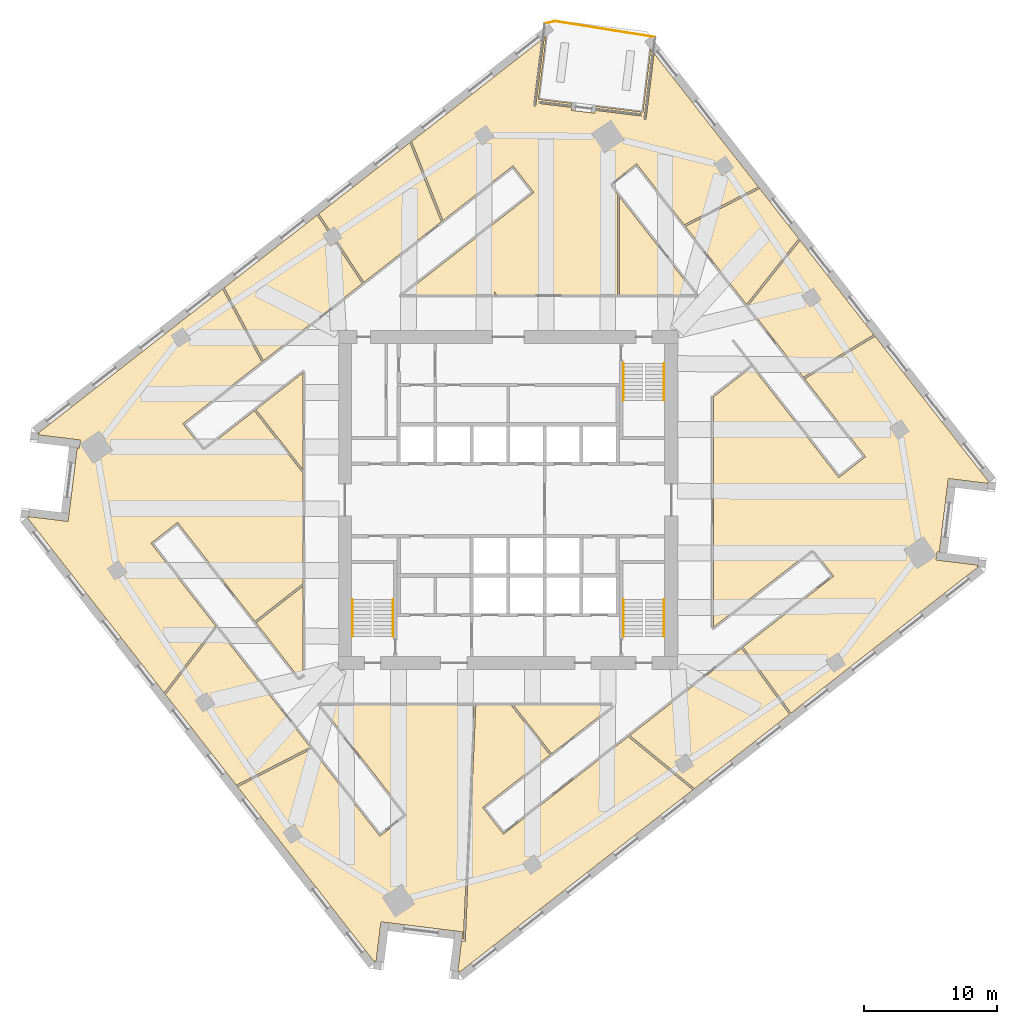
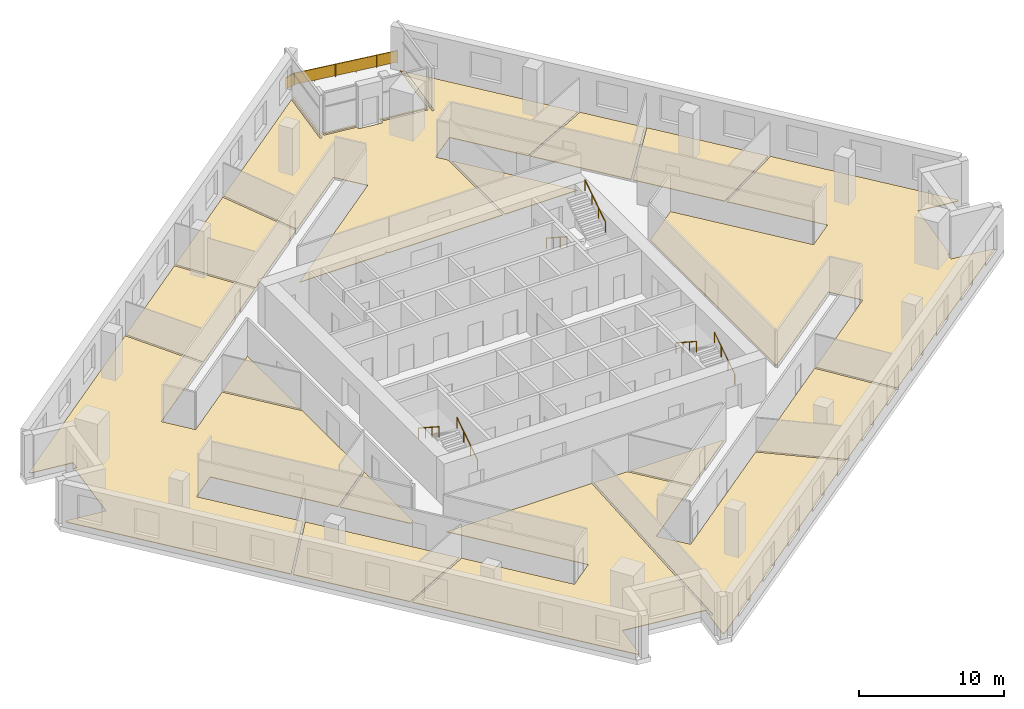
# One storey, part 10 of 11: 15 coverings, 7 railings.
"""IFC4 building model written with IfcOpenShell, lengths in metres."""

from ifc_helpers import new_model, si_unit, direction, frame, origin, origin_2d, place, context, subcontext, project, spatial, polyline, rectangle, circle, outline, extrude, material, layer, layer_set, type_object, element, save


model = new_model("IFC4")

# Units and contexts
model_context = context("Model", 3, precision=1e-05, world=origin(), true_north=direction((0.0, 1.0)))
body_context = subcontext(model_context, "Body", "Model", "MODEL_VIEW")
ifc_project = project(units=[si_unit("LENGTHUNIT", "METRE"), si_unit("AREAUNIT", "SQUARE_METRE"), si_unit("VOLUMEUNIT", "CUBIC_METRE"), si_unit("PLANEANGLEUNIT", "RADIAN"), si_unit("MASSUNIT", "GRAM", prefix="KILO")], contexts=[model_context])

# Site, building, storey
site_placement = place(None, origin())
site = spatial("IfcSite", under=ifc_project, at=site_placement, CompositionType="ELEMENT")
building_placement = place(site_placement, origin())
building = spatial("IfcBuilding", under=site, at=building_placement, Name="Dilmun Exchange Tower", CompositionType="ELEMENT")
storey_placement = place(building_placement, frame((0.0, 0.0, 175.699951171875)))
storey = spatial("IfcBuildingStorey", under=building, at=storey_placement, Name="L41", CompositionType="ELEMENT", Elevation=175.699951171875)

# Coverings
ifc_material_1 = material(Name="Carpet floor finish 50")
ifc_layer_1 = layer(ifc_material_1, 0.050048828125)
ifc_layer_set_1 = layer_set([ifc_layer_1], Name="Carpet floor finish 50")
covering_type_1 = type_object("IfcCoveringType", Name="Carpet floor finish 50", PredefinedType="FLOORING", material=ifc_layer_set_1)
covering_1_placement = place(storey_placement, origin())
element("IfcCovering", 1, at=covering_1_placement, inside=storey, type_object=covering_type_1, Name="Carpet floor finish 50 Open office 1", PredefinedType="FLOORING", context=body_context, shape_type="SweptSolid", body=[
    extrude(outline(polyline([(-18.573486328125, 10.406982421875), (-24.53857421875, 5.74658203125), (-22.96875, 3.7373046875), (-19.142578125, 6.726318359375), (-15.47509765625, 2.031982421875), (-15.47509765625, -6.310791015625), (-19.1044921875, -9.146484375), (-24.930908203125, -1.689453125), (-26.940185546875, -3.25927734375), (-22.068359375, -9.4951171875), (-25.942626953125, -14.54541015625), (-36.251220703125, -1.35107421875), (-36.1806640625, -1.359619140625), (-36.180419921875, -1.359619140625), (-36.180419921875, -1.359619140625), (-36.18017578125, -1.359619140625), (-36.179931640625, -1.359619140625), (-36.1796875, -1.359619140625), (-36.179443359375, -1.359375), (-36.179443359375, -1.359375), (-36.17919921875, -1.359130859375), (-36.17919921875, -1.359130859375), (-36.178955078125, -1.35888671875), (-36.1787109375, -1.35888671875), (-36.1787109375, -1.358642578125), (-36.1787109375, -1.3583984375), (-36.178466796875, -1.3583984375), (-36.178466796875, -1.358154296875), (-36.178466796875, -1.35791015625), (-36.1650390625, -1.24951171875), (-33.189453125, -1.61474609375), (-33.189208984375, -1.614990234375), (-33.189208984375, -1.614990234375), (-33.18896484375, -1.61474609375), (-33.188720703125, -1.61474609375), (-33.1884765625, -1.61474609375), (-33.1884765625, -1.614501953125), (-33.188232421875, -1.614501953125), (-33.18798828125, -1.614501953125), (-33.18798828125, -1.6142578125), (-33.187744140625, -1.6142578125), (-33.1875, -1.614013671875), (-33.1875, -1.61376953125), (-33.1875, -1.61376953125), (-33.1875, -1.613525390625), (-33.187255859375, -1.61328125), (-33.187255859375, -1.613037109375), (-33.1142578125, -1.017578125), (-32.5048828125, 3.943115234375), (-32.339599609375, 3.9228515625), (-32.339599609375, 3.9228515625), (-32.33935546875, 3.9228515625), (-32.339111328125, 3.9228515625), (-32.3388671875, 3.9228515625), (-32.338623046875, 3.923095703125), (-32.338623046875, 3.923095703125), (-32.33837890625, 3.923095703125), (-32.338134765625, 3.92333984375), (-32.338134765625, 3.92333984375), (-32.337890625, 3.923583984375), (-32.337890625, 3.923583984375), (-32.337646484375, 3.923828125), (-32.337646484375, 3.924072265625), (-32.337646484375, 3.92431640625), (-32.33740234375, 3.92431640625), (-32.33740234375, 3.924560546875), (-32.264404296875, 4.52001953125), (-32.264404296875, 4.520263671875), (-32.264404296875, 4.5205078125), (-32.264404296875, 4.520751953125), (-32.264404296875, 4.52099609375), (-32.264404296875, 4.52099609375), (-32.264404296875, 4.521240234375), (-32.2646484375, 4.521484375), (-32.264892578125, 4.521484375), (-32.264892578125, 4.521728515625), (-32.264892578125, 4.52197265625), (-32.26513671875, 4.52197265625), (-32.265380859375, 4.522216796875), (-32.265380859375, 4.522216796875), (-32.265625, 4.522216796875), (-32.265869140625, 4.522216796875), (-32.26611328125, 4.522216796875), (-35.4091796875, 4.908203125), (-35.395751953125, 5.0166015625), (-35.395751953125, 5.016845703125), (-35.395751953125, 5.01708984375), (-35.395751953125, 5.017333984375), (-35.395751953125, 5.017578125), (-35.39599609375, 5.017578125), (-35.39599609375, 5.017822265625), (-35.39599609375, 5.01806640625), (-35.396240234375, 5.018310546875), (-35.396240234375, 5.018310546875), (-35.396484375, 5.0185546875), (-35.396484375, 5.0185546875), (-35.396728515625, 5.018798828125), (-35.39697265625, 5.018798828125), (-35.397216796875, 5.018798828125), (-35.397216796875, 5.018798828125), (-35.3974609375, 5.018798828125), (-35.4677734375, 5.027587890625), (-21.5380859375, 15.91064453125), (-18.573486328125, 10.406982421875)])), origin(), (0.0, 0.0, 1.0), 0.050048828125),
])
covering_2_placement = place(storey_placement, origin())
element("IfcCovering", 2, at=covering_2_placement, inside=storey, type_object=covering_type_1, Name="Carpet floor finish 50 Break-out lounge 1", PredefinedType="FLOORING", context=body_context, shape_type="SweptSolid", body=[
    extrude(outline(polyline([(-14.919677734375, -18.645263671875), (-20.5078125, -21.50146484375), (-25.84716796875, -14.667236328125), (-21.972900390625, -9.6171875), (-14.919677734375, -18.645263671875)])), origin(), (0.0, 0.0, 1.0), 0.050048828125),
])
covering_3_placement = place(storey_placement, origin())
element("IfcCovering", 3, at=covering_3_placement, inside=storey, type_object=covering_type_1, Name="Carpet floor finish 50 Analyst office 1", PredefinedType="FLOORING", context=body_context, shape_type="SweptSolid", body=[
    extrude(outline(polyline([(-14.825439453125, -18.765380859375), (-9.679931640625, -25.3515625), (-7.67041015625, -23.781494140625), (-14.159423828125, -15.47607421875), (-2.59375, -15.47509765625), (-3.383544921875, -33.104736328125), (-3.502197265625, -33.090087890625), (-3.4384765625, -32.569091796875), (-3.438232421875, -32.56884765625), (-3.438232421875, -32.568603515625), (-3.4384765625, -32.568359375), (-3.4384765625, -32.568115234375), (-3.4384765625, -32.568115234375), (-3.438720703125, -32.56787109375), (-3.438720703125, -32.567626953125), (-3.438720703125, -32.5673828125), (-3.43896484375, -32.5673828125), (-3.43896484375, -32.567138671875), (-3.439208984375, -32.567138671875), (-3.439453125, -32.56689453125), (-3.439453125, -32.56689453125), (-3.439697265625, -32.56689453125), (-3.43994140625, -32.56689453125), (-3.440185546875, -32.56689453125), (-4.03564453125, -32.49365234375), (-4.03564453125, -32.49365234375), (-8.997802734375, -31.884521484375), (-8.998046875, -31.884521484375), (-8.998291015625, -31.88427734375), (-8.998291015625, -31.88427734375), (-9.593994140625, -31.811279296875), (-9.593994140625, -31.81103515625), (-9.59423828125, -31.81103515625), (-9.594482421875, -31.811279296875), (-9.5947265625, -31.811279296875), (-9.594970703125, -31.811279296875), (-9.59521484375, -31.811279296875), (-9.59521484375, -31.8115234375), (-9.595458984375, -31.8115234375), (-9.595458984375, -31.811767578125), (-9.595703125, -31.811767578125), (-9.595703125, -31.81201171875), (-9.595947265625, -31.812255859375), (-9.595947265625, -31.812255859375), (-9.59619140625, -31.8125), (-9.59619140625, -31.812744140625), (-9.59619140625, -31.81298828125), (-9.96142578125, -34.78857421875), (-10.070068359375, -34.775390625), (-10.0703125, -34.775146484375), (-10.0703125, -34.775146484375), (-10.070556640625, -34.775390625), (-10.07080078125, -34.775390625), (-10.071044921875, -34.775390625), (-10.071044921875, -34.775390625), (-10.0712890625, -34.775390625), (-10.071533203125, -34.775634765625), (-10.071533203125, -34.77587890625), (-10.07177734375, -34.77587890625), (-10.072021484375, -34.776123046875), (-10.072021484375, -34.7763671875), (-10.072021484375, -34.7763671875), (-10.072021484375, -34.776611328125), (-10.072265625, -34.77685546875), (-10.072265625, -34.777099609375), (-10.080810546875, -34.847412109375), (-20.413818359375, -21.621826171875), (-14.825439453125, -18.765380859375)])), origin(), (0.0, 0.0, 1.0), 0.050048828125),
])
covering_4_placement = place(storey_placement, origin())
element("IfcCovering", 4, at=covering_4_placement, inside=storey, type_object=covering_type_1, Name="Carpet floor finish 50 Break-out lounge 2", PredefinedType="FLOORING", context=body_context, shape_type="SweptSolid", body=[
    extrude(outline(polyline([(-14.28466796875, 21.57763671875), (-7.412353515625, 26.947021484375), (-5.040283203125, 20.98046875), (-10.8798828125, 16.41796875), (-14.28466796875, 21.57763671875)])), origin(), (0.0, 0.0, 1.0), 0.050048828125),
])
covering_5_placement = place(storey_placement, origin())
element("IfcCovering", 5, at=covering_5_placement, inside=storey, type_object=covering_type_1, Name="Carpet floor finish 50 Analyst office 2", PredefinedType="FLOORING", context=body_context, shape_type="SweptSolid", body=[
    extrude(outline(polyline([(-3.24072265625, -33.273193359375), (-2.443603515625, -15.47509765625), (0.217041015625, -15.47509765625), (3.146240234375, -19.22412109375), (-1.930419921875, -23.190673828125), (-0.360595703125, -25.19970703125), (9.048583984375, -17.848876953125), (13.927490234375, -21.856689453125), (-3.7021484375, -35.630615234375), (-3.693603515625, -35.560302734375), (-3.693603515625, -35.56005859375), (-3.693603515625, -35.559814453125), (-3.693603515625, -35.5595703125), (-3.693603515625, -35.559326171875), (-3.693603515625, -35.55908203125), (-3.69384765625, -35.55908203125), (-3.69384765625, -35.558837890625), (-3.694091796875, -35.55859375), (-3.694091796875, -35.55859375), (-3.694091796875, -35.558349609375), (-3.6943359375, -35.558349609375), (-3.694580078125, -35.55810546875), (-3.694580078125, -35.55810546875), (-3.69482421875, -35.55810546875), (-3.695068359375, -35.55810546875), (-3.6953125, -35.55810546875), (-3.8037109375, -35.544677734375), (-3.5205078125, -33.239013671875), (-3.24072265625, -33.273193359375)])), origin(), (0.0, 0.0, 1.0), 0.050048828125),
])
covering_6_placement = place(storey_placement, origin())
element("IfcCovering", 6, at=covering_6_placement, inside=storey, type_object=covering_type_1, Name="Carpet floor finish 50 Meeting room 1", PredefinedType="FLOORING", context=body_context, shape_type="SweptSolid", body=[
    extrude(outline(polyline([(7.840576171875, -15.556640625), (3.264404296875, -19.1318359375), (0.407470703125, -15.47509765625), (7.77685546875, -15.47509765625), (7.840576171875, -15.556640625)])), origin(), (0.0, 0.0, 1.0), 0.050048828125),
])
covering_7_placement = place(storey_placement, origin())
element("IfcCovering", 7, at=covering_7_placement, inside=storey, type_object=covering_type_1, Name="Carpet floor finish 50 Garden lounge", PredefinedType="FLOORING", context=body_context, shape_type="SweptSolid", body=[
    extrude(outline(polyline([(1.930419921875, 23.1904296875), (0.360595703125, 25.199951171875), (-4.9169921875, 21.07666015625), (-7.289306640625, 27.043212890625), (2.523193359375, 34.709716796875), (1.912353515625, 29.73388671875), (1.912353515625, 29.733642578125), (1.912353515625, 29.7333984375), (1.912353515625, 29.7333984375), (1.91259765625, 29.733154296875), (1.91259765625, 29.73291015625), (1.91259765625, 29.732666015625), (1.91259765625, 29.732666015625), (1.912841796875, 29.732421875), (1.912841796875, 29.732421875), (1.9130859375, 29.732177734375), (1.9130859375, 29.73193359375), (1.913330078125, 29.73193359375), (1.91357421875, 29.731689453125), (1.913818359375, 29.731689453125), (1.9140625, 29.731689453125), (1.914306640625, 29.731689453125), (2.072998046875, 29.712158203125), (2.0732421875, 29.712158203125), (2.073486328125, 29.712158203125), (2.073486328125, 29.712158203125), (2.07373046875, 29.712158203125), (2.073974609375, 29.71240234375), (2.07421875, 29.71240234375), (2.07421875, 29.71240234375), (2.074462890625, 29.712646484375), (2.07470703125, 29.712646484375), (2.07470703125, 29.712890625), (2.07470703125, 29.712890625), (2.074951171875, 29.713134765625), (2.074951171875, 29.71337890625), (2.0751953125, 29.71337890625), (2.0751953125, 29.713623046875), (2.0751953125, 29.7138671875), (2.7060546875, 34.852294921875), (2.865478515625, 34.976806640625), (2.281005859375, 30.217529296875), (4.823974609375, 29.9052734375), (4.806640625, 29.76318359375), (2.338134765625, 30.06640625), (2.337890625, 30.06640625), (2.337646484375, 30.06640625), (2.33740234375, 30.06640625), (2.33740234375, 30.06640625), (2.337158203125, 30.06640625), (2.3369140625, 30.06640625), (2.3369140625, 30.066162109375), (2.336669921875, 30.066162109375), (2.33642578125, 30.06591796875), (2.336181640625, 30.06591796875), (2.336181640625, 30.065673828125), (2.336181640625, 30.0654296875), (2.3359375, 30.065185546875), (2.3359375, 30.065185546875), (2.3359375, 30.06494140625), (2.3359375, 30.064697265625), (2.31640625, 29.906005859375), (2.31640625, 29.90576171875), (2.31640625, 29.905517578125), (2.31640625, 29.905517578125), (2.31640625, 29.9052734375), (2.31640625, 29.905029296875), (2.316650390625, 29.90478515625), (2.316650390625, 29.904541015625), (2.31689453125, 29.904541015625), (2.31689453125, 29.904296875), (2.31689453125, 29.904296875), (2.317138671875, 29.904052734375), (2.3173828125, 29.904052734375), (2.3173828125, 29.90380859375), (2.317626953125, 29.90380859375), (2.31787109375, 29.90380859375), (2.318115234375, 29.90380859375), (4.78662109375, 29.6005859375), (4.760009765625, 29.38427734375), (4.760009765625, 29.384033203125), (4.760009765625, 29.3837890625), (4.760009765625, 29.383544921875), (4.760009765625, 29.38330078125), (4.76025390625, 29.38330078125), (4.76025390625, 29.383056640625), (4.760498046875, 29.3828125), (4.760498046875, 29.3828125), (4.760498046875, 29.382568359375), (4.7607421875, 29.38232421875), (4.760986328125, 29.38232421875), (4.760986328125, 29.382080078125), (4.76123046875, 29.382080078125), (4.761474609375, 29.382080078125), (4.76171875, 29.382080078125), (4.76171875, 29.3818359375), (6.54833984375, 29.16259765625), (6.548583984375, 29.16259765625), (6.548828125, 29.16259765625), (6.549072265625, 29.16259765625), (6.54931640625, 29.16259765625), (6.54931640625, 29.162841796875), (6.549560546875, 29.162841796875), (6.5498046875, 29.162841796875), (6.5498046875, 29.1630859375), (6.550048828125, 29.1630859375), (6.55029296875, 29.163330078125), (6.55029296875, 29.16357421875), (6.55029296875, 29.163818359375), (6.550537109375, 29.163818359375), (6.550537109375, 29.1640625), (6.550537109375, 29.164306640625), (6.550537109375, 29.164306640625), (6.5771484375, 29.380859375), (10.038330078125, 28.955810546875), (10.03857421875, 28.955810546875), (10.038818359375, 28.955810546875), (10.038818359375, 28.955810546875), (10.0390625, 28.955810546875), (10.039306640625, 28.955810546875), (10.039306640625, 28.955810546875), (10.03955078125, 28.9560546875), (10.039794921875, 28.9560546875), (10.039794921875, 28.956298828125), (10.0400390625, 28.956298828125), (10.040283203125, 28.95654296875), (10.040283203125, 28.956787109375), (10.040283203125, 28.956787109375), (10.040283203125, 28.95703125), (10.04052734375, 28.957275390625), (10.04052734375, 28.95751953125), (10.06005859375, 29.1162109375), (10.06005859375, 29.116455078125), (10.06005859375, 29.11669921875), (10.06005859375, 29.11669921875), (10.06005859375, 29.116943359375), (10.059814453125, 29.1171875), (10.059814453125, 29.117431640625), (10.059814453125, 29.11767578125), (10.0595703125, 29.11767578125), (10.0595703125, 29.117919921875), (10.059326171875, 29.117919921875), (10.05908203125, 29.1181640625), (10.05908203125, 29.1181640625), (10.058837890625, 29.118408203125), (10.05859375, 29.118408203125), (10.05859375, 29.118408203125), (10.058349609375, 29.118408203125), (6.59716796875, 29.54345703125), (6.614501953125, 29.685302734375), (10.150146484375, 29.251220703125), (10.734619140625, 34.0107421875), (10.859130859375, 33.851318359375), (10.22802734375, 28.712890625), (10.22802734375, 28.712646484375), (10.22802734375, 28.71240234375), (10.22802734375, 28.712158203125), (10.228271484375, 28.7119140625), (10.228271484375, 28.7119140625), (10.228271484375, 28.711669921875), (10.228515625, 28.71142578125), (10.228515625, 28.711181640625), (10.228515625, 28.711181640625), (10.228759765625, 28.7109375), (10.22900390625, 28.7109375), (10.22900390625, 28.710693359375), (10.229248046875, 28.710693359375), (10.2294921875, 28.710693359375), (10.229736328125, 28.710693359375), (10.22998046875, 28.710693359375), (10.388671875, 28.691162109375), (10.388916015625, 28.691162109375), (10.38916015625, 28.691162109375), (10.38916015625, 28.691162109375), (10.389404296875, 28.691162109375), (10.3896484375, 28.691162109375), (10.389892578125, 28.69140625), (10.389892578125, 28.69140625), (10.39013671875, 28.69140625), (10.390380859375, 28.691650390625), (10.390380859375, 28.691650390625), (10.390380859375, 28.69189453125), (10.390625, 28.692138671875), (10.390625, 28.692138671875), (10.390869140625, 28.6923828125), (10.390869140625, 28.692626953125), (10.390869140625, 28.69287109375), (11.001953125, 33.66845703125), (18.8623046875, 23.607666015625), (13.2734375, 20.751953125), (9.679931640625, 25.3515625), (7.67041015625, 23.781494140625), (8.23291015625, 23.06201171875), (8.23291015625, 15.47509765625), (-0.853759765625, 15.47509765625), (-1.02685546875, 15.696533203125), (-1.02685546875, 15.47509765625), (-7.945068359375, 15.47509765625), (1.930419921875, 23.1904296875)])), origin(), (0.0, 0.0, 1.0), 0.050048828125),
])
covering_8_placement = place(storey_placement, origin())
element("IfcCovering", 8, at=covering_8_placement, inside=storey, type_object=covering_type_1, Name="Carpet floor finish 50 Break-out lounge 3", PredefinedType="FLOORING", context=body_context, shape_type="SweptSolid", body=[
    extrude(outline(polyline([(17.5830078125, -11.18115234375), (21.212158203125, -16.165283203125), (14.048583984375, -21.76220703125), (9.169677734375, -17.754150390625), (17.5830078125, -11.18115234375)])), origin(), (0.0, 0.0, 1.0), 0.050048828125),
])
covering_9_placement = place(storey_placement, origin())
element("IfcCovering", 9, at=covering_9_placement, inside=storey, type_object=covering_type_1, Name="Carpet floor finish 50 Meeting room 2", PredefinedType="FLOORING", context=body_context, shape_type="SweptSolid", body=[
    extrude(outline(polyline([(13.36767578125, 20.631591796875), (18.956298828125, 23.4873046875), (21.9130859375, 19.702880859375), (17.97021484375, 14.740478515625), (13.36767578125, 20.631591796875)])), origin(), (0.0, 0.0, 1.0), 0.050048828125),
])
covering_10_placement = place(storey_placement, origin())
element("IfcCovering", 10, at=covering_10_placement, inside=storey, type_object=covering_type_1, Name="Carpet floor finish 50 Meeting room 3", PredefinedType="FLOORING", context=body_context, shape_type="SweptSolid", body=[
    extrude(outline(polyline([(18.065185546875, 14.618896484375), (22.0078125, 19.581298828125), (27.569580078125, 12.462646484375), (22.25341796875, 9.25830078125), (18.065185546875, 14.618896484375)])), origin(), (0.0, 0.0, 1.0), 0.050048828125),
])
covering_11_placement = place(storey_placement, origin())
element("IfcCovering", 11, at=covering_11_placement, inside=storey, type_object=covering_type_1, Name="Carpet floor finish 50 Open office 2", PredefinedType="FLOORING", context=body_context, shape_type="SweptSolid", body=[
    extrude(outline(polyline([(17.701171875, -11.088623046875), (24.53857421875, -5.74658203125), (22.96875, -3.7373046875), (15.47509765625, -9.591796875), (15.47509765625, 7.77685546875), (18.393310546875, 10.056884765625), (24.930908203125, 1.689453125), (26.940185546875, 3.25927734375), (22.346435546875, 9.13916015625), (27.66259765625, 12.343505859375), (36.251220703125, 1.35107421875), (36.1806640625, 1.359619140625), (36.180419921875, 1.359619140625), (36.180419921875, 1.359619140625), (36.18017578125, 1.359619140625), (36.179931640625, 1.359619140625), (36.1796875, 1.359619140625), (36.179443359375, 1.359375), (36.179443359375, 1.359375), (36.17919921875, 1.359130859375), (36.17919921875, 1.359130859375), (36.178955078125, 1.35888671875), (36.1787109375, 1.35888671875), (36.1787109375, 1.358642578125), (36.1787109375, 1.3583984375), (36.178466796875, 1.3583984375), (36.178466796875, 1.358154296875), (36.178466796875, 1.35791015625), (36.1650390625, 1.24951171875), (33.189453125, 1.61474609375), (33.189208984375, 1.614990234375), (33.189208984375, 1.614990234375), (33.18896484375, 1.61474609375), (33.188720703125, 1.61474609375), (33.1884765625, 1.61474609375), (33.1884765625, 1.614501953125), (33.188232421875, 1.614501953125), (33.18798828125, 1.614501953125), (33.18798828125, 1.6142578125), (33.187744140625, 1.6142578125), (33.1875, 1.614013671875), (33.1875, 1.61376953125), (33.1875, 1.61376953125), (33.1875, 1.613525390625), (33.187255859375, 1.61328125), (33.187255859375, 1.613037109375), (33.1142578125, 1.017578125), (33.1142578125, 1.017578125), (32.5048828125, -3.943115234375), (32.339599609375, -3.9228515625), (32.339599609375, -3.9228515625), (32.33935546875, -3.9228515625), (32.339111328125, -3.9228515625), (32.3388671875, -3.9228515625), (32.338623046875, -3.923095703125), (32.338623046875, -3.923095703125), (32.33837890625, -3.923095703125), (32.338134765625, -3.92333984375), (32.338134765625, -3.92333984375), (32.337890625, -3.923583984375), (32.337890625, -3.923583984375), (32.337646484375, -3.923828125), (32.337646484375, -3.924072265625), (32.337646484375, -3.92431640625), (32.33740234375, -3.92431640625), (32.33740234375, -3.924560546875), (32.264404296875, -4.52001953125), (32.264404296875, -4.520263671875), (32.264404296875, -4.5205078125), (32.264404296875, -4.520751953125), (32.264404296875, -4.52099609375), (32.264404296875, -4.52099609375), (32.264404296875, -4.521240234375), (32.2646484375, -4.521484375), (32.264892578125, -4.521484375), (32.264892578125, -4.521728515625), (32.264892578125, -4.52197265625), (32.26513671875, -4.52197265625), (32.265380859375, -4.522216796875), (32.265380859375, -4.522216796875), (32.265625, -4.522216796875), (32.265869140625, -4.522216796875), (32.26611328125, -4.522216796875), (35.4091796875, -4.908203125), (35.395751953125, -5.0166015625), (35.395751953125, -5.016845703125), (35.395751953125, -5.01708984375), (35.395751953125, -5.017333984375), (35.395751953125, -5.017578125), (35.39599609375, -5.017578125), (35.39599609375, -5.017822265625), (35.39599609375, -5.01806640625), (35.396240234375, -5.018310546875), (35.396240234375, -5.018310546875), (35.396484375, -5.0185546875), (35.396484375, -5.0185546875), (35.396728515625, -5.018798828125), (35.39697265625, -5.018798828125), (35.397216796875, -5.018798828125), (35.397216796875, -5.018798828125), (35.3974609375, -5.018798828125), (35.4677734375, -5.027587890625), (21.33056640625, -16.072998046875), (17.701171875, -11.088623046875)])), origin(), (0.0, 0.0, 1.0), 0.050048828125),
])

# Railings
ifc_material_2 = material(Name="Stainless steel", Category="steel")
railing_type_1 = type_object("IfcRailingType", Name="Stair handrail 900", PredefinedType="HANDRAIL", material=ifc_material_2)
railing_1_placement = place(storey_placement, frame((8.699951171875, 10.300048828125, 0.181884765625)))
element("IfcRailing", 12, at=railing_1_placement, inside=storey, type_object=railing_type_1, Name="L41 ST1 stair handrail 1", PredefinedType="HANDRAIL", context=body_context, shape_type="SweptSolid", body=[
    extrude(circle(Radius=0.02392578125, at=origin_2d()), frame((0.0, 0.0, 0.8759765625), z_axis=(0.0, -0.838705829183, 0.544584733623), x_axis=(1.0, 0.0, 0.0)), (0.0, 0.0, 1.0), 3.338623046875),
    extrude(circle(Radius=0.02099609375, at=origin_2d()), origin(), (0.0, 0.0, 1.0), 0.851806640625),
    extrude(circle(Radius=0.02099609375, at=origin_2d()), frame((0.0, -0.933349609375, 0.60595703125)), (0.0, 0.0, 1.0), 0.851806640625),
    extrude(circle(Radius=0.02099609375, at=origin_2d()), frame((0.0, -1.86669921875, 1.212158203125)), (0.0, 0.0, 1.0), 0.851806640625),
    extrude(circle(Radius=0.02099609375, at=origin_2d()), frame((0.0, -2.800048828125, 1.818115234375)), (0.0, 0.0, 1.0), 0.851806640625),
])
for number, where, name in (
    (13, (11.75, 7.5, 2.181884765625), "L41 ST1 stair handrail 2"),
    (14, (-8.699951171875, -10.300048828125, 0.181884765625), "L41 ST2 stair handrail 1"),
):
    element("IfcRailing", number, at=place(storey_placement, frame(where)), inside=storey, type_object=railing_type_1, Name=name, PredefinedType="HANDRAIL", context=body_context, shape_type="SweptSolid", body=[
        extrude(circle(Radius=0.02392578125, at=origin_2d()), frame((0.0, 0.0, 0.8759765625), z_axis=(0.0, 0.838705829183, 0.544584733623), x_axis=(-1.0, 0.0, 0.0)), (0.0, 0.0, 1.0), 3.338623046875),
        extrude(circle(Radius=0.02099609375, at=origin_2d()), origin(), (0.0, 0.0, 1.0), 0.851806640625),
        extrude(circle(Radius=0.02099609375, at=origin_2d()), frame((0.0, 0.933349609375, 0.60595703125)), (0.0, 0.0, 1.0), 0.851806640625),
        extrude(circle(Radius=0.02099609375, at=origin_2d()), frame((0.0, 1.86669921875, 1.212158203125)), (0.0, 0.0, 1.0), 0.851806640625),
        extrude(circle(Radius=0.02099609375, at=origin_2d()), frame((0.0, 2.800048828125, 1.818115234375)), (0.0, 0.0, 1.0), 0.851806640625),
    ])
railing_2_placement = place(storey_placement, frame((-11.75, -7.5, 2.181884765625)))
element("IfcRailing", 15, at=railing_2_placement, inside=storey, type_object=railing_type_1, Name="L41 ST2 stair handrail 2", PredefinedType="HANDRAIL", context=body_context, shape_type="SweptSolid", body=[
    extrude(circle(Radius=0.02392578125, at=origin_2d()), frame((0.0, 0.0, 0.8759765625), z_axis=(0.0, -0.838705829183, 0.544584733623), x_axis=(1.0, 0.0, 0.0)), (0.0, 0.0, 1.0), 3.338623046875),
    extrude(circle(Radius=0.02099609375, at=origin_2d()), origin(), (0.0, 0.0, 1.0), 0.851806640625),
    extrude(circle(Radius=0.02099609375, at=origin_2d()), frame((0.0, -0.933349609375, 0.60595703125)), (0.0, 0.0, 1.0), 0.851806640625),
    extrude(circle(Radius=0.02099609375, at=origin_2d()), frame((0.0, -1.86669921875, 1.212158203125)), (0.0, 0.0, 1.0), 0.851806640625),
    extrude(circle(Radius=0.02099609375, at=origin_2d()), frame((0.0, -2.800048828125, 1.818115234375)), (0.0, 0.0, 1.0), 0.851806640625),
])
railing_3_placement = place(storey_placement, frame((11.75, -10.300048828125, 0.181884765625)))
element("IfcRailing", 16, at=railing_3_placement, inside=storey, type_object=railing_type_1, Name="L41 ST3 stair handrail 1", PredefinedType="HANDRAIL", context=body_context, shape_type="SweptSolid", body=[
    extrude(circle(Radius=0.02392578125, at=origin_2d()), frame((0.0, 0.0, 0.8759765625), z_axis=(0.0, 0.838705829183, 0.544584733623), x_axis=(-1.0, 0.0, 0.0)), (0.0, 0.0, 1.0), 3.338623046875),
    extrude(circle(Radius=0.02099609375, at=origin_2d()), origin(), (0.0, 0.0, 1.0), 0.851806640625),
    extrude(circle(Radius=0.02099609375, at=origin_2d()), frame((0.0, 0.933349609375, 0.60595703125)), (0.0, 0.0, 1.0), 0.851806640625),
    extrude(circle(Radius=0.02099609375, at=origin_2d()), frame((0.0, 1.86669921875, 1.212158203125)), (0.0, 0.0, 1.0), 0.851806640625),
    extrude(circle(Radius=0.02099609375, at=origin_2d()), frame((0.0, 2.800048828125, 1.818115234375)), (0.0, 0.0, 1.0), 0.851806640625),
])
railing_4_placement = place(storey_placement, frame((8.699951171875, -7.5, 2.181884765625)))
element("IfcRailing", 17, at=railing_4_placement, inside=storey, type_object=railing_type_1, Name="L41 ST3 stair handrail 2", PredefinedType="HANDRAIL", context=body_context, shape_type="SweptSolid", body=[
    extrude(circle(Radius=0.02392578125, at=origin_2d()), frame((0.0, 0.0, 0.8759765625), z_axis=(0.0, -0.838705829183, 0.544584733623), x_axis=(1.0, 0.0, 0.0)), (0.0, 0.0, 1.0), 3.338623046875),
    extrude(circle(Radius=0.02099609375, at=origin_2d()), origin(), (0.0, 0.0, 1.0), 0.851806640625),
    extrude(circle(Radius=0.02099609375, at=origin_2d()), frame((0.0, -0.933349609375, 0.60595703125)), (0.0, 0.0, 1.0), 0.851806640625),
    extrude(circle(Radius=0.02099609375, at=origin_2d()), frame((0.0, -1.86669921875, 1.212158203125)), (0.0, 0.0, 1.0), 0.851806640625),
    extrude(circle(Radius=0.02099609375, at=origin_2d()), frame((0.0, -2.800048828125, 1.818115234375)), (0.0, 0.0, 1.0), 0.851806640625),
])

# Coverings
ifc_material_3 = material(Name="Stone floor finish 50", Category="masonry")
ifc_layer_2 = layer(ifc_material_3, 0.050048828125)
ifc_layer_set_2 = layer_set([ifc_layer_2], Name="Stone floor finish 50")
covering_type_2 = type_object("IfcCoveringType", Name="Stone floor finish 50", PredefinedType="FLOORING", material=ifc_layer_set_2)
covering_12_placement = place(storey_placement, origin())
element("IfcCovering", 18, at=covering_12_placement, inside=storey, type_object=covering_type_2, Name="Stone floor finish 50 Reception 1", PredefinedType="FLOORING", context=body_context, shape_type="SweptSolid", body=[
    extrude(outline(polyline([(-15.47509765625, -13.16796875), (-15.77783203125, -13.404541015625), (-19.01220703125, -9.264892578125), (-15.47509765625, -6.501220703125), (-15.47509765625, -13.16796875)])), origin(), (0.0, 0.0, 1.0), 0.050048828125),
])
covering_13_placement = place(storey_placement, origin())
element("IfcCovering", 19, at=covering_13_placement, inside=storey, type_object=covering_type_2, Name="Stone floor finish 50 Reception 2", PredefinedType="FLOORING", context=body_context, shape_type="SweptSolid", body=[
    extrude(outline(polyline([(-19.0244140625, 6.81884765625), (-15.47509765625, 9.591796875), (-15.47509765625, 2.275634765625), (-19.0244140625, 6.81884765625)])), origin(), (0.0, 0.0, 1.0), 0.050048828125),
])
covering_14_placement = place(storey_placement, origin())
element("IfcCovering", 20, at=covering_14_placement, inside=storey, type_object=covering_type_2, Name="Stone floor finish 50 Reception 3", PredefinedType="FLOORING", context=body_context, shape_type="SweptSolid", body=[
    extrude(outline(polyline([(-18.45361328125, 10.500732421875), (-21.418212890625, 16.00439453125), (-14.4033203125, 21.485107421875), (-10.998291015625, 16.325439453125), (-18.45361328125, 10.500732421875)])), origin(), (0.0, 0.0, 1.0), 0.050048828125),
])

# Railing
railing_type_2 = type_object("IfcRailingType", Name="Terrace guard 1100 stainless steel", PredefinedType="GUARDRAIL", material=ifc_material_2)
railing_5_placement = place(storey_placement, frame((2.7548828125, 35.923828125, 0.0)))
element("IfcRailing", 21, at=railing_5_placement, inside=storey, type_object=railing_type_2, Name="Terrace guard 1", PredefinedType="GUARDRAIL", context=body_context, shape_type="SweptSolid", body=[
    extrude(circle(Radius=0.02392578125, at=origin_2d()), frame((0.0, 0.0, 1.076171875), z_axis=(0.973154588447, 0.230152442926, 0.0), x_axis=(-0.230152442926, 0.973154588447, 0.0)), (0.0, 0.0, 1.0), 0.79443359375),
    extrude(rectangle(XDim=0.011962890625, YDim=0.951904296875, at=origin_2d()), frame((0.0, 0.0, 0.576171875), z_axis=(0.973154588447, 0.230152442926, 0.0), x_axis=(-0.230152442926, 0.973154588447, 0.0)), (0.0, 0.0, 1.0), 0.79443359375),
    extrude(circle(Radius=0.02392578125, at=origin_2d()), frame((0.773193359375, 0.182861328125, 1.076171875), z_axis=(0.987496418185, -0.157641441479, 0.0), x_axis=(0.157641441479, 0.987496418185, 0.0)), (0.0, 0.0, 1.0), 7.63818359375),
    extrude(rectangle(XDim=0.011962890625, YDim=0.951904296875, at=origin_2d()), frame((0.773193359375, 0.182861328125, 0.576171875), z_axis=(0.987496418185, -0.157641441479, 0.0), x_axis=(0.157641441479, 0.987496418185, 0.0)), (0.0, 0.0, 1.0), 7.63818359375),
    extrude(circle(Radius=0.02099609375, at=origin_2d()), origin(), (0.0, 0.0, 1.0), 1.052001953125),
    extrude(circle(Radius=0.02099609375, at=origin_2d()), frame((0.773193359375, 0.182861328125, 0.0)), (0.0, 0.0, 1.0), 1.052001953125),
    extrude(circle(Radius=0.02099609375, at=origin_2d()), frame((2.28173828125, -0.057861328125, 0.0)), (0.0, 0.0, 1.0), 1.052001953125),
    extrude(circle(Radius=0.02099609375, at=origin_2d()), frame((3.790283203125, -0.298828125, 0.0)), (0.0, 0.0, 1.0), 1.052001953125),
    extrude(circle(Radius=0.02099609375, at=origin_2d()), frame((5.298828125, -0.53955078125, 0.0)), (0.0, 0.0, 1.0), 1.052001953125),
    extrude(circle(Radius=0.02099609375, at=origin_2d()), frame((6.807373046875, -0.780517578125, 0.0)), (0.0, 0.0, 1.0), 1.052001953125),
    extrude(circle(Radius=0.02099609375, at=origin_2d()), frame((8.31591796875, -1.021240234375, 0.0)), (0.0, 0.0, 1.0), 1.052001953125),
])

# Covering
ifc_material_4 = material(Name="Tile floor finish 50")
ifc_layer_3 = layer(ifc_material_4, 0.050048828125)
ifc_layer_set_3 = layer_set([ifc_layer_3], Name="Tile floor finish 50")
covering_type_3 = type_object("IfcCoveringType", Name="Tile floor finish 50", PredefinedType="FLOORING", material=ifc_layer_set_3)
covering_15_placement = place(storey_placement, origin())
element("IfcCovering", 22, at=covering_15_placement, inside=storey, type_object=covering_type_3, Name="Tile floor finish 50 Pantry", PredefinedType="FLOORING", context=body_context, shape_type="SweptSolid", body=[
    extrude(outline(polyline([(8.3828125, 22.869873046875), (14.160400390625, 15.47509765625), (8.3828125, 15.47509765625), (8.3828125, 22.869873046875)])), origin(), (0.0, 0.0, 1.0), 0.050048828125),
])

save(model, "model.ifc")
